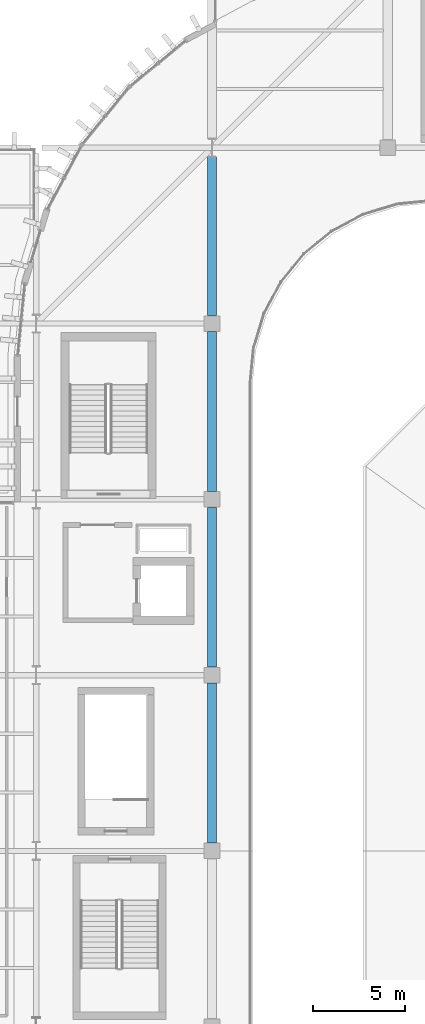
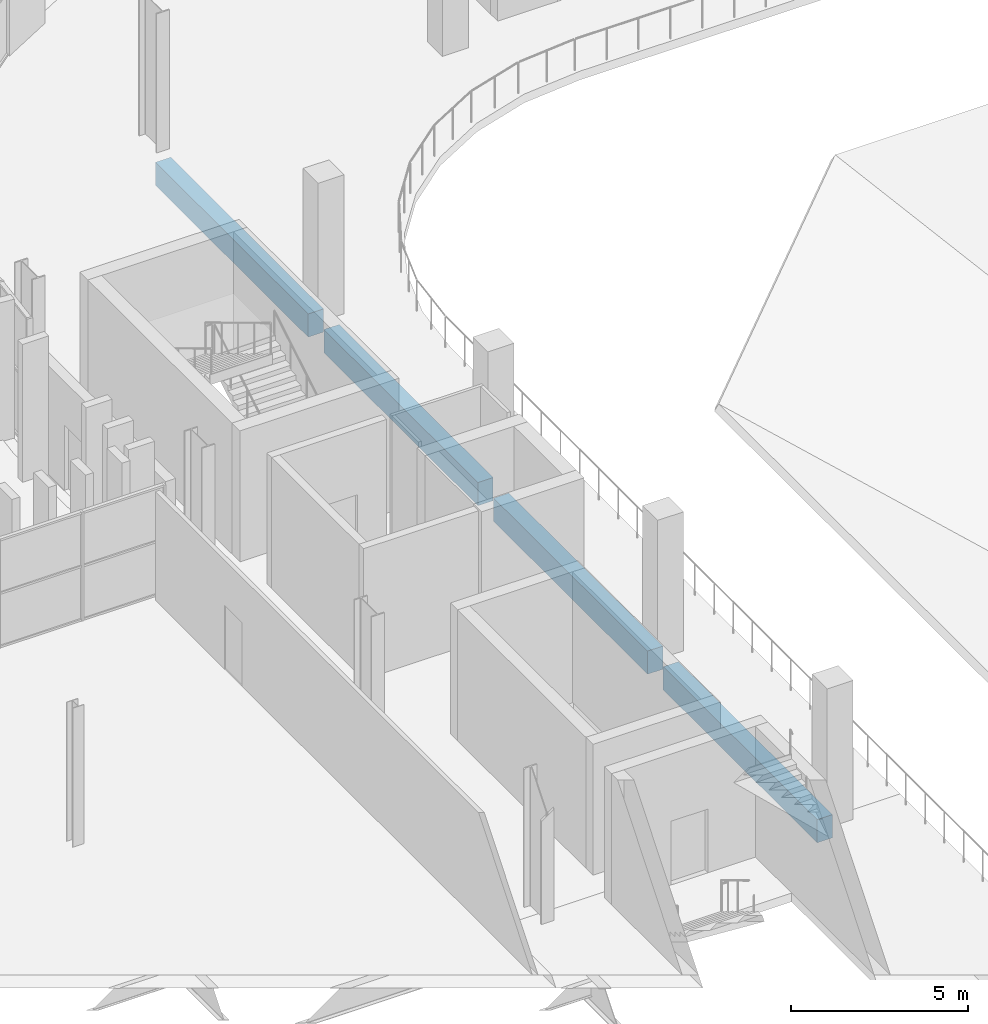
# One storey, part 32 of 99: 4 beams.
"""IFC4 building model written with IfcOpenShell, lengths in metres."""

from ifc_helpers import new_model, si_unit, direction, frame, origin, origin_2d, place, context, subcontext, project, spatial, rectangle, extrude, material, material_profile, profile_set, type_object, element, save


model = new_model("IFC4")

# Units and contexts
model_context = context("Model", 3, precision=1e-05, world=origin(), true_north=direction((0.0, 1.0)))
body_context = subcontext(model_context, "Body", "Model", "MODEL_VIEW")
ifc_project = project(units=[si_unit("LENGTHUNIT", "METRE"), si_unit("AREAUNIT", "SQUARE_METRE"), si_unit("VOLUMEUNIT", "CUBIC_METRE"), si_unit("PLANEANGLEUNIT", "RADIAN"), si_unit("MASSUNIT", "GRAM", prefix="KILO")], contexts=[model_context])

# Site, building, storey
site_placement = place(None, origin())
site = spatial("IfcSite", under=ifc_project, at=site_placement, CompositionType="ELEMENT")
building_placement = place(site_placement, origin())
building = spatial("IfcBuilding", under=site, at=building_placement, Name="Caelomonte Colonnade Arena", CompositionType="ELEMENT")
storey_placement = place(building_placement, frame((0.0, 0.0, 4.800048828125)))
storey = spatial("IfcBuildingStorey", under=building, at=storey_placement, Name="L01", CompositionType="ELEMENT", Elevation=4.800048828125)

# Beams
ifc_material = material(Name="Concrete C40/50", Category="concrete")
ifc_material_profile = material_profile(ifc_material, rectangle(XDim=0.5, YDim=0.800048828125, at=origin_2d()), Name="RC500X800")
ifc_profile_set = profile_set([ifc_material_profile], Name="Concrete C40/50")
beam_type = type_object("IfcBeamType", Name="STR-BM-RC50", PredefinedType="BEAM", material=ifc_profile_set)
beam_1_placement = place(storey_placement, frame((67.199951171875, 67.64208984375, -0.699951171875), z_axis=(0.0, 1.0, 0.0), x_axis=(-1.0, 0.0, 0.0)))
element("IfcBeam", 1, at=beam_1_placement, inside=storey, type_object=beam_type, Name="L01 girder BMY-L01-0672-0672", PredefinedType="BEAM", context=body_context, shape_type="SweptSolid", body=[
    extrude(rectangle(XDim=0.5, YDim=0.800048828125, at=origin_2d()), origin(), (0.0, 0.0, 1.0), 8.7158203125),
])
for number, where, z_axis, x_axis, name in (
    (2, (67.199951171875, 77.241943359375, -0.699951171875), (0.0, 1.0, 0.0), (-1.0, 0.0, 0.0), "L01 girder BMY-L01-0672-0768"),
    (3, (67.199951171875, 86.842041015625, -0.699951171875), (0.0, 1.0, 0.0), (-1.0, 0.0, 0.0), "L01 girder BMY-L01-0672-0864"),
):
    element("IfcBeam", number, at=place(storey_placement, frame(where, z_axis=z_axis, x_axis=x_axis)), inside=storey, type_object=beam_type, Name=name, PredefinedType="BEAM", context=body_context, shape_type="SweptSolid", body=[
        extrude(rectangle(XDim=0.5, YDim=0.800048828125, at=origin_2d()), origin(), (0.0, 0.0, 1.0), 8.716064453125),
    ])
beam_2_placement = place(storey_placement, frame((67.199951171875, 96.44189453125, -0.699951171875), z_axis=(0.0, 1.0, 0.0), x_axis=(-1.0, 0.0, 0.0)))
element("IfcBeam", 4, at=beam_2_placement, inside=storey, type_object=beam_type, Name="L01 girder BMY-L01-0672-0960", PredefinedType="BEAM", context=body_context, shape_type="SweptSolid", body=[
    extrude(rectangle(XDim=0.5, YDim=0.800048828125, at=origin_2d()), origin(), (0.0, 0.0, 1.0), 8.6455078125),
])

save(model, "model.ifc")
